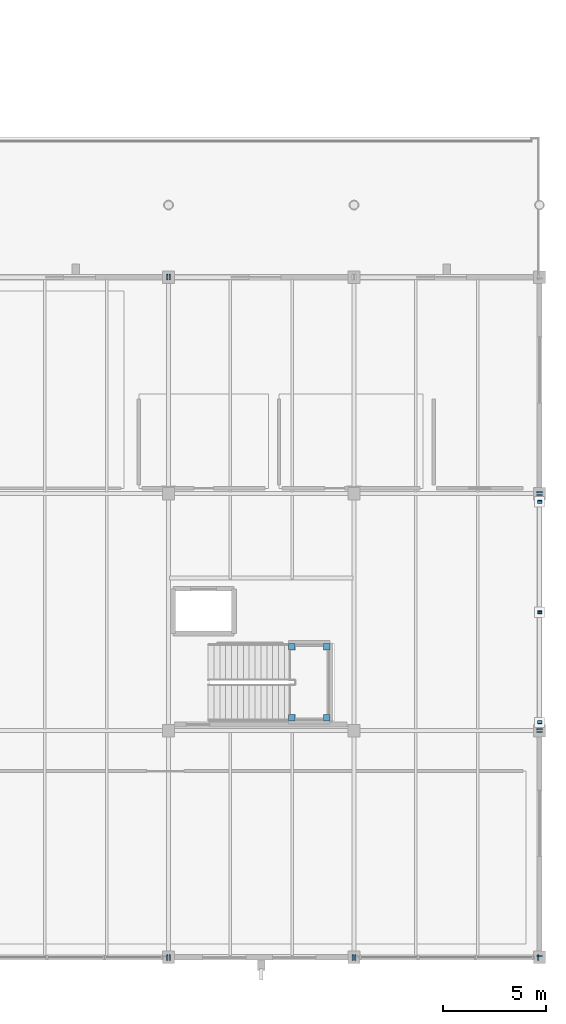
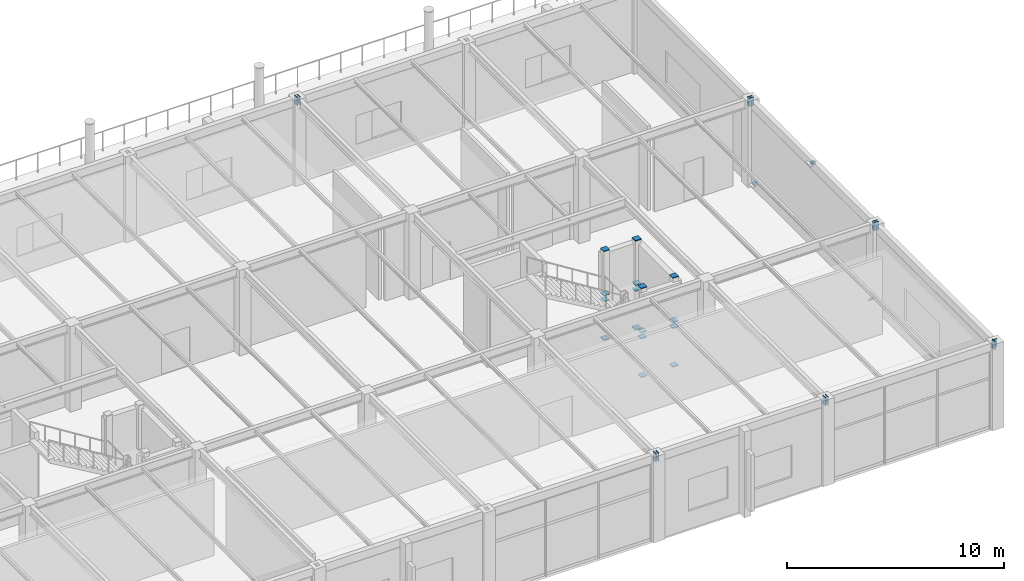
# One storey, part 109 of 143: 32 discrete accessories.
"""IFC4 building model written with IfcOpenShell, lengths in metres."""

from ifc_helpers import new_model, si_unit, direction, frame, origin, origin_2d, place, context, subcontext, project, spatial, rectangle, extrude, material, element, save


model = new_model("IFC4")

# Units and contexts
model_context = context("Model", 3, precision=1e-05, world=origin(), true_north=direction((0.0, 1.0)))
body_context = subcontext(model_context, "Body", "Model", "MODEL_VIEW")
ifc_project = project(units=[si_unit("LENGTHUNIT", "METRE"), si_unit("AREAUNIT", "SQUARE_METRE"), si_unit("VOLUMEUNIT", "CUBIC_METRE"), si_unit("PLANEANGLEUNIT", "RADIAN"), si_unit("MASSUNIT", "GRAM", prefix="KILO")], contexts=[model_context])

# Site, building, storey
site_placement = place(None, origin())
site = spatial("IfcSite", under=ifc_project, at=site_placement, CompositionType="ELEMENT")
building_placement = place(site_placement, origin())
building = spatial("IfcBuilding", under=site, at=building_placement, Name="Marlcrest Central Station", CompositionType="ELEMENT")
storey_placement = place(building_placement, frame((0.0, 0.0, 4.800048828125)))
storey = spatial("IfcBuildingStorey", under=building, at=storey_placement, Name="L01", CompositionType="ELEMENT", Elevation=4.800048828125)

# Discrete accessories
ifc_material = material(Name="Steel S355", Category="steel")
for number, where, z_axis, x_axis, name in (
    (1, (197.9150390625, 0.0, 4.58984375), (1.0, 0.0, 0.0), (0.0, 1.0, 0.0), "endcap-bm-SP-02-L01-00863-e"),
    (2, (198.045166015625, 0.0, 4.58984375), (1.0, 0.0, 0.0), (0.0, 1.0, 0.0), "endcap-bm-SP-02-L01-00864-s"),
    (3, (206.9150390625, 0.0, 4.58984375), (1.0, 0.0, 0.0), (0.0, 1.0, 0.0), "endcap-bm-SP-02-L01-00864-e"),
    (4, (207.045166015625, 0.0, 4.58984375), (1.0, 0.0, 0.0), (0.0, 1.0, 0.0), "endcap-bm-SP-02-L01-00865-s"),
    (5, (215.9150390625, 0.0, 4.58984375), (1.0, 0.0, 0.0), (0.0, 1.0, 0.0), "endcap-bm-SP-02-L01-00865-e"),
    (6, (197.9150390625, 33.0, 4.58984375), (1.0, 0.0, 0.0), (0.0, 1.0, 0.0), "endcap-bm-SP-02-L01-00884-e"),
    (7, (198.045166015625, 33.0, 4.58984375), (1.0, 0.0, 0.0), (0.0, 1.0, 0.0), "endcap-bm-SP-02-L01-00885-s"),
    (8, (216.0, 0.045166015625, 4.58984375), (0.0, 1.0, 0.0), (-1.0, 0.0, 0.0), "endcap-bm-SP-02-L01-00908-s"),
    (9, (216.0, 10.9150390625, 4.58984375), (0.0, 1.0, 0.0), (-1.0, 0.0, 0.0), "endcap-bm-SP-02-L01-00908-e"),
    (10, (216.0, 11.045166015625, 4.58984375), (0.0, 1.0, 0.0), (-1.0, 0.0, 0.0), "endcap-bm-SP-02-L01-00909-s"),
    (11, (216.0, 22.4150390625, 4.58984375), (0.0, 1.0, 0.0), (-1.0, 0.0, 0.0), "endcap-bm-SP-02-L01-00909-e"),
    (12, (216.0, 22.545166015625, 4.58984375), (0.0, 1.0, 0.0), (-1.0, 0.0, 0.0), "endcap-bm-SP-02-L01-00910-s"),
):
    element("IfcDiscreteAccessory", number, at=place(storey_placement, frame(where, z_axis=z_axis, x_axis=x_axis)), inside=storey, material=ifc_material, Name=name, ObjectType="END_CAP_PLATE", PredefinedType="BRACKET", context=body_context, shape_type="SweptSolid", body=[
        extrude(rectangle(XDim=0.26611328125, YDim=0.466064453125, at=origin_2d()), origin(), (0.0, 0.0, 1.0), 0.0400390625),
    ])
for number, where, z_axis, x_axis, name in (
    (13, (216.0, 11.388427734375, 0.1904296875), (0.0, 0.77128774854, 0.636486613333), (-1.0, 0.0, 0.0), "endcap-mem-BF-01-L01-00015-s"),
    (14, (216.0, 16.730712890625, 4.59912109375), (0.0, 0.77128774854, 0.636486613333), (-1.0, 0.0, 0.0), "endcap-mem-BF-01-L01-00015-e"),
    (15, (216.0, 22.111572265625, 0.1904296875), (0.0, -0.77128774854, 0.636486613333), (1.0, 0.0, 0.0), "endcap-mem-BF-01-L01-00016-s"),
    (16, (216.0, 16.769287109375, 4.59912109375), (0.0, -0.77128774854, 0.636486613333), (1.0, 0.0, 0.0), "endcap-mem-BF-01-L01-00016-e"),
):
    element("IfcDiscreteAccessory", number, at=place(storey_placement, frame(where, z_axis=z_axis, x_axis=x_axis)), inside=storey, material=ifc_material, Name=name, ObjectType="END_CAP_PLATE", PredefinedType="BRACKET", context=body_context, shape_type="SweptSolid", body=[
        extrude(rectangle(XDim=0.216064453125, YDim=0.216064453125, at=origin_2d()), origin(), (0.0, 0.0, 1.0), 0.0400390625),
    ])
for number, where, z_axis, x_axis, name in (
    (17, (203.989990234375, 11.6298828125, -0.014892578125), (0.0, 0.0, 1.0), (1.0, 0.0, 0.0), "endcap-htcol-lo-0040-0-s"),
    (18, (203.989990234375, 11.6298828125, 2.155029296875), (0.0, 0.0, 1.0), (1.0, 0.0, 0.0), "endcap-htcol-lo-0040-0-e"),
    (19, (203.989990234375, 11.6298828125, 2.485107421875), (0.0, 0.0, 1.0), (1.0, 0.0, 0.0), "endcap-htcol-hi-0040-0-s"),
    (20, (203.989990234375, 11.6298828125, 4.97509765625), (0.0, 0.0, 1.0), (1.0, 0.0, 0.0), "endcap-htcol-hi-0040-0-e"),
    (21, (205.669921875, 11.6298828125, -0.014892578125), (0.0, 0.0, 1.0), (1.0, 0.0, 0.0), "endcap-htcol-lo-0040-1-s"),
    (22, (205.669921875, 11.6298828125, 2.155029296875), (0.0, 0.0, 1.0), (1.0, 0.0, 0.0), "endcap-htcol-lo-0040-1-e"),
    (23, (205.669921875, 11.6298828125, 2.485107421875), (0.0, 0.0, 1.0), (1.0, 0.0, 0.0), "endcap-htcol-hi-0040-1-s"),
    (24, (205.669921875, 11.6298828125, 4.97509765625), (0.0, 0.0, 1.0), (1.0, 0.0, 0.0), "endcap-htcol-hi-0040-1-e"),
    (25, (205.669921875, 15.070068359375, -0.014892578125), (0.0, 0.0, 1.0), (1.0, 0.0, 0.0), "endcap-htcol-lo-0040-2-s"),
    (26, (205.669921875, 15.070068359375, 2.155029296875), (0.0, 0.0, 1.0), (1.0, 0.0, 0.0), "endcap-htcol-lo-0040-2-e"),
    (27, (205.669921875, 15.070068359375, 2.485107421875), (0.0, 0.0, 1.0), (1.0, 0.0, 0.0), "endcap-htcol-hi-0040-2-s"),
    (28, (205.669921875, 15.070068359375, 4.97509765625), (0.0, 0.0, 1.0), (1.0, 0.0, 0.0), "endcap-htcol-hi-0040-2-e"),
    (29, (203.989990234375, 15.070068359375, -0.014892578125), (0.0, 0.0, 1.0), (1.0, 0.0, 0.0), "endcap-htcol-lo-0040-3-s"),
    (30, (203.989990234375, 15.070068359375, 2.155029296875), (0.0, 0.0, 1.0), (1.0, 0.0, 0.0), "endcap-htcol-lo-0040-3-e"),
    (31, (203.989990234375, 15.070068359375, 2.485107421875), (0.0, 0.0, 1.0), (1.0, 0.0, 0.0), "endcap-htcol-hi-0040-3-s"),
    (32, (203.989990234375, 15.070068359375, 4.97509765625), (0.0, 0.0, 1.0), (1.0, 0.0, 0.0), "endcap-htcol-hi-0040-3-e"),
):
    element("IfcDiscreteAccessory", number, at=place(storey_placement, frame(where, z_axis=z_axis, x_axis=x_axis)), inside=storey, material=ifc_material, Name=name, ObjectType="END_CAP_PLATE", PredefinedType="BRACKET", context=body_context, shape_type="SweptSolid", body=[
        extrude(rectangle(XDim=0.31591796875, YDim=0.31591796875, at=origin_2d()), origin(), (0.0, 0.0, 1.0), 0.0400390625),
    ])

save(model, "model.ifc")
